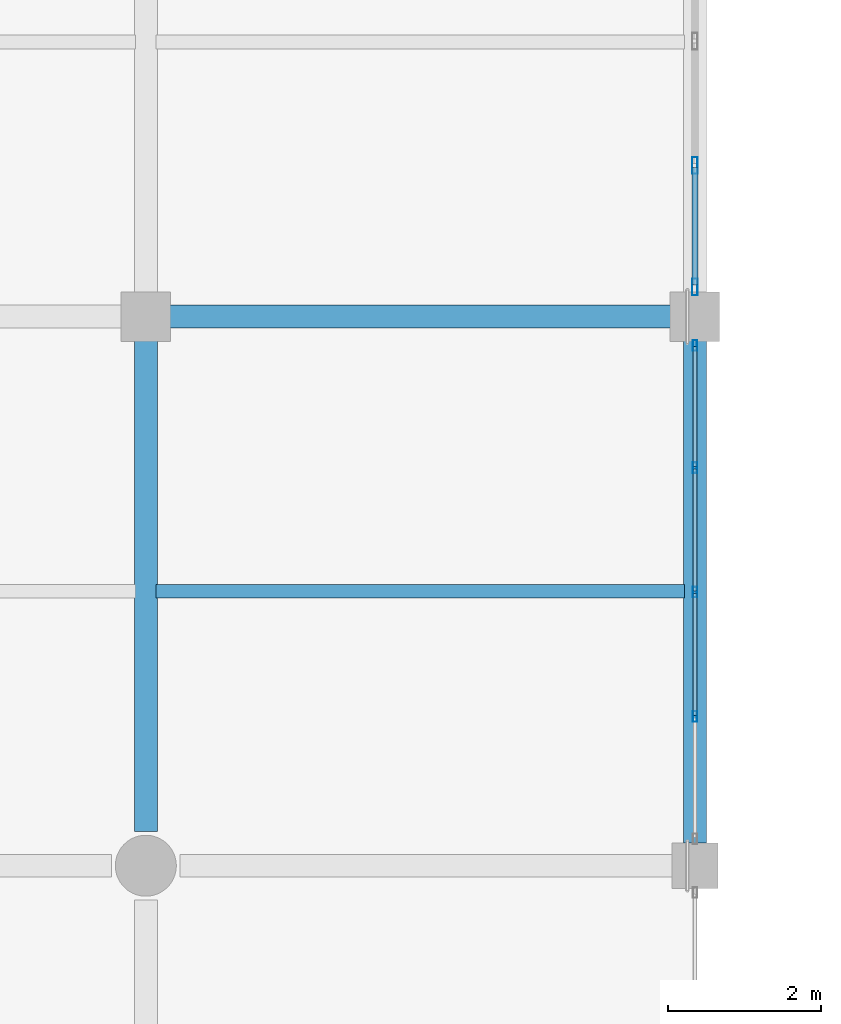
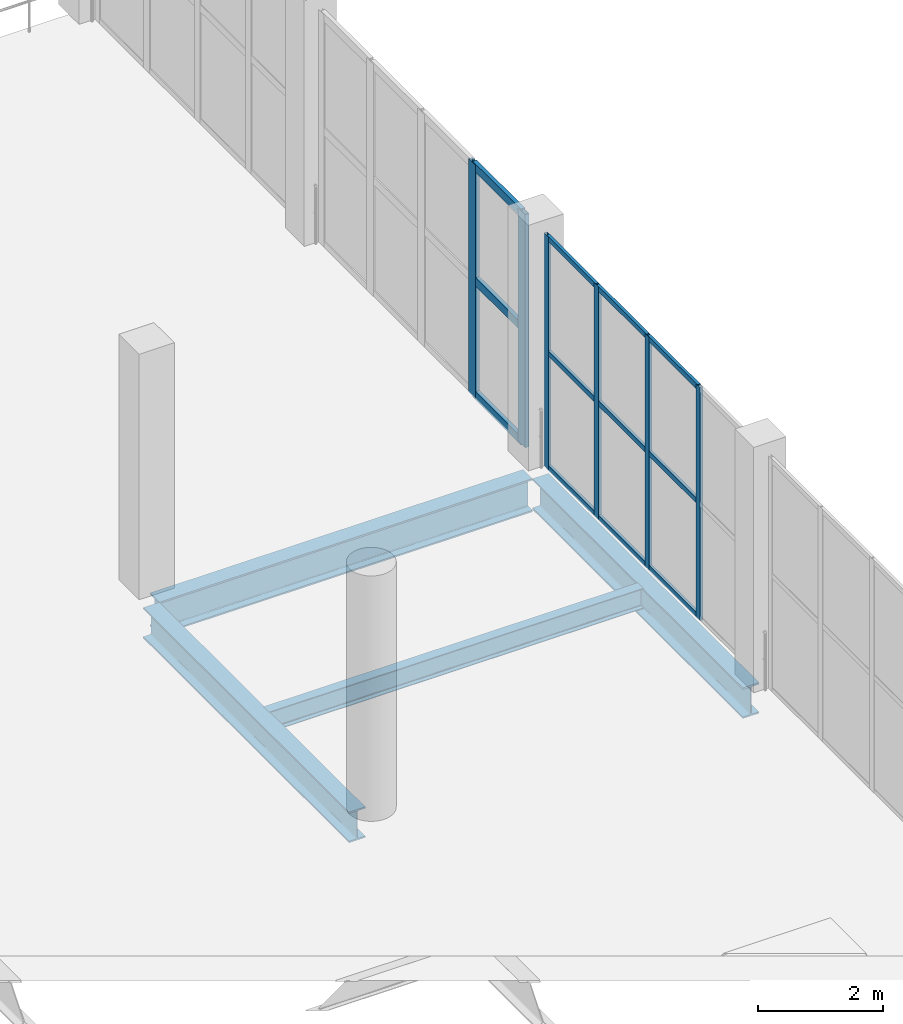
# One storey, part 51 of 105: 18 members, 4 beams, 2 elements without a shape of their own.
"""IFC4 building model written with IfcOpenShell, lengths in metres."""

from ifc_helpers import new_model, si_unit, direction, frame, origin, origin_2d, place, context, subcontext, project, spatial, hollow_rectangle, i_section, extrude, material, material_profile, profile_set, type_object, element, aggregate, save


model = new_model("IFC4")

# Units and contexts
model_context = context("Model", 3, precision=1e-05, world=origin(), true_north=direction((0.0, 1.0)))
body_context = subcontext(model_context, "Body", "Model", "MODEL_VIEW")
ifc_project = project(units=[si_unit("LENGTHUNIT", "METRE"), si_unit("AREAUNIT", "SQUARE_METRE"), si_unit("VOLUMEUNIT", "CUBIC_METRE"), si_unit("PLANEANGLEUNIT", "RADIAN"), si_unit("MASSUNIT", "GRAM", prefix="KILO")], contexts=[model_context])

# Site, building, storey
site_placement = place(None, origin())
site = spatial("IfcSite", under=ifc_project, at=site_placement, CompositionType="ELEMENT")
building_placement = place(site_placement, origin())
building = spatial("IfcBuilding", under=site, at=building_placement, Name="Qandorah Velis Arena", CompositionType="ELEMENT")
storey_placement = place(building_placement, frame((0.0, 0.0, 13.800048828125)))
storey = spatial("IfcBuildingStorey", under=building, at=storey_placement, Name="L03", CompositionType="ELEMENT", Elevation=13.800048828125)

# Curtain wall, members
ifc_material_1 = material(Name="Solar-control low-E double glazing", Category="glass")
curtain_wall_type_1 = type_object("IfcCurtainWallType", Name="ARC-CW-SYS08", PredefinedType="USERDEFINED", material=ifc_material_1)
curtain_wall_1_placement = place(storey_placement, origin())
curtain_wall_1 = element("IfcCurtainWall", 1, at=curtain_wall_1_placement, inside=storey, type_object=curtain_wall_type_1, Name="Unitised curtain wall L03-176", ObjectType="UNITISED CURTAIN WALL", PredefinedType="USERDEFINED")
ifc_material_2 = material(Name="Champagne-bronze anodized aluminium 6063-T6", Category="aluminium")
ifc_material_profile_1 = material_profile(ifc_material_2, hollow_rectangle(XDim=0.054931640625, YDim=0.139892578125, WallThickness=0.0029296875, at=origin_2d()), Name="ALU MULLION 55x140")
ifc_profile_set_1 = profile_set([ifc_material_profile_1], Name="Champagne-bronze anodized aluminium 6063-T6")
member_type_1 = type_object("IfcMemberType", Name="ARC-CWM-140", PredefinedType="MULLION", material=ifc_profile_set_1)
member_1_placement = place(storey_placement, frame((122.39990234375, 88.356201171875, -0.01513671875), z_axis=(0.0, 0.0, 1.0), x_axis=(-1.0, 0.0, 0.0)))
member_1 = element("IfcMember", 2, at=member_1_placement, type_object=member_type_1, Name="CW08 mullion 2", PredefinedType="MULLION", context=body_context, shape_type="SweptSolid", body=[
    extrude(hollow_rectangle(XDim=0.054931640625, YDim=0.139892578125, WallThickness=0.0029296875, at=origin_2d()), origin(), (0.0, 0.0, 1.0), 4.56005859375),
])
member_2_placement = place(storey_placement, frame((122.39990234375, 89.987548828125, -0.01513671875), z_axis=(0.0, 0.0, 1.0), x_axis=(-1.0, 0.0, 0.0)))
member_2 = element("IfcMember", 3, at=member_2_placement, type_object=member_type_1, Name="CW08 mullion 3", PredefinedType="MULLION", context=body_context, shape_type="SweptSolid", body=[
    extrude(hollow_rectangle(XDim=0.054931640625, YDim=0.139892578125, WallThickness=0.0029296875, at=origin_2d()), origin(), (0.0, 0.0, 1.0), 4.56005859375),
])
member_3_placement = place(storey_placement, frame((122.39990234375, 91.61865234375, -0.01513671875), z_axis=(0.0, 0.0, 1.0), x_axis=(-1.0, 0.0, 0.0)))
member_3 = element("IfcMember", 4, at=member_3_placement, type_object=member_type_1, Name="CW08 mullion 4", PredefinedType="MULLION", context=body_context, shape_type="SweptSolid", body=[
    extrude(hollow_rectangle(XDim=0.054931640625, YDim=0.139892578125, WallThickness=0.0029296875, at=origin_2d()), origin(), (0.0, 0.0, 1.0), 4.56005859375),
])
member_4_placement = place(storey_placement, frame((122.39990234375, 93.222412109375, -0.01513671875), z_axis=(0.0, 0.0, 1.0), x_axis=(-1.0, 0.0, 0.0)))
member_4 = element("IfcMember", 5, at=member_4_placement, type_object=member_type_1, Name="CW08 mullion 5", PredefinedType="MULLION", context=body_context, shape_type="SweptSolid", body=[
    extrude(hollow_rectangle(XDim=0.054931640625, YDim=0.139892578125, WallThickness=0.0029296875, at=origin_2d()), origin(), (0.0, 0.0, 1.0), 4.56005859375),
])

curtain_wall_type_2 = type_object("IfcCurtainWallType", Name="ARC-CW-SYS09", PredefinedType="USERDEFINED", material=ifc_material_1)
curtain_wall_2_placement = place(storey_placement, origin())
curtain_wall_2 = element("IfcCurtainWall", 6, at=curtain_wall_2_placement, inside=storey, type_object=curtain_wall_type_2, Name="Unitised curtain wall L03-177", ObjectType="UNITISED CURTAIN WALL", PredefinedType="USERDEFINED")
ifc_material_profile_2 = material_profile(ifc_material_2, hollow_rectangle(XDim=0.074951171875, YDim=0.219970703125, WallThickness=0.00390625, at=origin_2d()), Name="ALU MULLION 75x220")
ifc_profile_set_2 = profile_set([ifc_material_profile_2], Name="Champagne-bronze anodized aluminium 6063-T6")
member_type_2 = type_object("IfcMemberType", Name="ARC-CWM-220", PredefinedType="MULLION", material=ifc_profile_set_2)
member_5_placement = place(storey_placement, frame((122.39990234375, 93.987548828125, -0.01513671875), z_axis=(0.0, 0.0, 1.0), x_axis=(-1.0, 0.0, 0.0)))
member_5 = element("IfcMember", 7, at=member_5_placement, type_object=member_type_2, Name="CW09 mullion 1", PredefinedType="MULLION", context=body_context, shape_type="SweptSolid", body=[
    extrude(hollow_rectangle(XDim=0.074951171875, YDim=0.219970703125, WallThickness=0.00390625, at=origin_2d()), origin(), (0.0, 0.0, 1.0), 4.56005859375),
])
member_6_placement = place(storey_placement, frame((122.39990234375, 95.581298828125, -0.01513671875), z_axis=(0.0, 0.0, 1.0), x_axis=(-1.0, 0.0, 0.0)))
member_6 = element("IfcMember", 8, at=member_6_placement, type_object=member_type_2, Name="CW09 mullion 2", PredefinedType="MULLION", context=body_context, shape_type="SweptSolid", body=[
    extrude(hollow_rectangle(XDim=0.074951171875, YDim=0.219970703125, WallThickness=0.00390625, at=origin_2d()), origin(), (0.0, 0.0, 1.0), 4.56005859375),
])

# Member
ifc_material_profile_3 = material_profile(ifc_material_2, hollow_rectangle(XDim=0.054931640625, YDim=0.10009765625, WallThickness=0.0029296875, at=origin_2d()), Name="ALU TRANSOM 55x100")
ifc_profile_set_3 = profile_set([ifc_material_profile_3], Name="Champagne-bronze anodized aluminium 6063-T6")
member_type_3 = type_object("IfcMemberType", Name="ARC-CWT-100", PredefinedType="USERDEFINED", material=ifc_profile_set_3)
member_7_placement = place(storey_placement, frame((122.39990234375, 88.37158203125, 0.02734375), z_axis=(0.0, 1.0, 0.0), x_axis=(-1.0, 0.0, 0.0)))
member_7 = element("IfcMember", 9, at=member_7_placement, type_object=member_type_3, Name="CW08 transom 2.1", ObjectType="TRANSOM", PredefinedType="USERDEFINED", context=body_context, shape_type="SweptSolid", body=[
    extrude(hollow_rectangle(XDim=0.054931640625, YDim=0.10009765625, WallThickness=0.0029296875, at=origin_2d()), origin(), (0.0, 0.0, 1.0), 1.600341796875),
])

member_8_placement = place(storey_placement, frame((122.39990234375, 88.37158203125, 2.264892578125), z_axis=(0.0, 1.0, 0.0), x_axis=(-1.0, 0.0, 0.0)))
member_8 = element("IfcMember", 10, at=member_8_placement, type_object=member_type_3, Name="CW08 transom 2.2", ObjectType="TRANSOM", PredefinedType="USERDEFINED", context=body_context, shape_type="SweptSolid", body=[
    extrude(hollow_rectangle(XDim=0.054931640625, YDim=0.10009765625, WallThickness=0.0029296875, at=origin_2d()), origin(), (0.0, 0.0, 1.0), 1.600341796875),
])

member_9_placement = place(storey_placement, frame((122.39990234375, 88.37158203125, 4.50244140625), z_axis=(0.0, 1.0, 0.0), x_axis=(-1.0, 0.0, 0.0)))
member_9 = element("IfcMember", 11, at=member_9_placement, type_object=member_type_3, Name="CW08 transom 2.3", ObjectType="TRANSOM", PredefinedType="USERDEFINED", context=body_context, shape_type="SweptSolid", body=[
    extrude(hollow_rectangle(XDim=0.054931640625, YDim=0.10009765625, WallThickness=0.0029296875, at=origin_2d()), origin(), (0.0, 0.0, 1.0), 1.600341796875),
])

member_10_placement = place(storey_placement, frame((122.39990234375, 90.0029296875, 0.02734375), z_axis=(0.0, 1.0, 0.0), x_axis=(-1.0, 0.0, 0.0)))
member_10 = element("IfcMember", 12, at=member_10_placement, type_object=member_type_3, Name="CW08 transom 3.1", ObjectType="TRANSOM", PredefinedType="USERDEFINED", context=body_context, shape_type="SweptSolid", body=[
    extrude(hollow_rectangle(XDim=0.054931640625, YDim=0.10009765625, WallThickness=0.0029296875, at=origin_2d()), origin(), (0.0, 0.0, 1.0), 1.600341796875),
])

member_11_placement = place(storey_placement, frame((122.39990234375, 90.0029296875, 2.264892578125), z_axis=(0.0, 1.0, 0.0), x_axis=(-1.0, 0.0, 0.0)))
member_11 = element("IfcMember", 13, at=member_11_placement, type_object=member_type_3, Name="CW08 transom 3.2", ObjectType="TRANSOM", PredefinedType="USERDEFINED", context=body_context, shape_type="SweptSolid", body=[
    extrude(hollow_rectangle(XDim=0.054931640625, YDim=0.10009765625, WallThickness=0.0029296875, at=origin_2d()), origin(), (0.0, 0.0, 1.0), 1.600341796875),
])

member_12_placement = place(storey_placement, frame((122.39990234375, 90.0029296875, 4.50244140625), z_axis=(0.0, 1.0, 0.0), x_axis=(-1.0, 0.0, 0.0)))
member_12 = element("IfcMember", 14, at=member_12_placement, type_object=member_type_3, Name="CW08 transom 3.3", ObjectType="TRANSOM", PredefinedType="USERDEFINED", context=body_context, shape_type="SweptSolid", body=[
    extrude(hollow_rectangle(XDim=0.054931640625, YDim=0.10009765625, WallThickness=0.0029296875, at=origin_2d()), origin(), (0.0, 0.0, 1.0), 1.600341796875),
])

member_13_placement = place(storey_placement, frame((122.39990234375, 91.63427734375, 0.02734375), z_axis=(0.0, 1.0, 0.0), x_axis=(-1.0, 0.0, 0.0)))
member_13 = element("IfcMember", 15, at=member_13_placement, type_object=member_type_3, Name="CW08 transom 4.1", ObjectType="TRANSOM", PredefinedType="USERDEFINED", context=body_context, shape_type="SweptSolid", body=[
    extrude(hollow_rectangle(XDim=0.054931640625, YDim=0.10009765625, WallThickness=0.0029296875, at=origin_2d()), origin(), (0.0, 0.0, 1.0), 1.57275390625),
])

member_14_placement = place(storey_placement, frame((122.39990234375, 91.63427734375, 2.264892578125), z_axis=(0.0, 1.0, 0.0), x_axis=(-1.0, 0.0, 0.0)))
member_14 = element("IfcMember", 16, at=member_14_placement, type_object=member_type_3, Name="CW08 transom 4.2", ObjectType="TRANSOM", PredefinedType="USERDEFINED", context=body_context, shape_type="SweptSolid", body=[
    extrude(hollow_rectangle(XDim=0.054931640625, YDim=0.10009765625, WallThickness=0.0029296875, at=origin_2d()), origin(), (0.0, 0.0, 1.0), 1.57275390625),
])

member_15_placement = place(storey_placement, frame((122.39990234375, 91.63427734375, 4.50244140625), z_axis=(0.0, 1.0, 0.0), x_axis=(-1.0, 0.0, 0.0)))
member_15 = element("IfcMember", 17, at=member_15_placement, type_object=member_type_3, Name="CW08 transom 4.3", ObjectType="TRANSOM", PredefinedType="USERDEFINED", context=body_context, shape_type="SweptSolid", body=[
    extrude(hollow_rectangle(XDim=0.054931640625, YDim=0.10009765625, WallThickness=0.0029296875, at=origin_2d()), origin(), (0.0, 0.0, 1.0), 1.57275390625),
])

aggregate(curtain_wall_1, [member_1, member_2, member_3, member_4, member_7, member_8, member_9, member_10, member_11, member_12, member_13, member_14, member_15])

ifc_material_profile_4 = material_profile(ifc_material_2, hollow_rectangle(XDim=0.074951171875, YDim=0.159912109375, WallThickness=0.00341796875, at=origin_2d()), Name="ALU TRANSOM 75x160")
ifc_profile_set_4 = profile_set([ifc_material_profile_4], Name="Champagne-bronze anodized aluminium 6063-T6")
member_type_4 = type_object("IfcMemberType", Name="ARC-CWT-160", PredefinedType="USERDEFINED", material=ifc_profile_set_4)
member_16_placement = place(storey_placement, frame((122.39990234375, 94.012939453125, 0.037353515625), z_axis=(0.0, 1.0, 0.0), x_axis=(-1.0, 0.0, 0.0)))
member_16 = element("IfcMember", 18, at=member_16_placement, type_object=member_type_4, Name="CW09 transom 1.1", ObjectType="TRANSOM", PredefinedType="USERDEFINED", context=body_context, shape_type="SweptSolid", body=[
    extrude(hollow_rectangle(XDim=0.074951171875, YDim=0.159912109375, WallThickness=0.00341796875, at=origin_2d()), origin(), (0.0, 0.0, 1.0), 1.54296875),
])

member_17_placement = place(storey_placement, frame((122.39990234375, 94.012939453125, 2.264892578125), z_axis=(0.0, 1.0, 0.0), x_axis=(-1.0, 0.0, 0.0)))
member_17 = element("IfcMember", 19, at=member_17_placement, type_object=member_type_4, Name="CW09 transom 1.2", ObjectType="TRANSOM", PredefinedType="USERDEFINED", context=body_context, shape_type="SweptSolid", body=[
    extrude(hollow_rectangle(XDim=0.074951171875, YDim=0.159912109375, WallThickness=0.00341796875, at=origin_2d()), origin(), (0.0, 0.0, 1.0), 1.54296875),
])

member_18_placement = place(storey_placement, frame((122.39990234375, 94.012939453125, 4.492431640625), z_axis=(0.0, 1.0, 0.0), x_axis=(-1.0, 0.0, 0.0)))
member_18 = element("IfcMember", 20, at=member_18_placement, type_object=member_type_4, Name="CW09 transom 1.3", ObjectType="TRANSOM", PredefinedType="USERDEFINED", context=body_context, shape_type="SweptSolid", body=[
    extrude(hollow_rectangle(XDim=0.074951171875, YDim=0.159912109375, WallThickness=0.00341796875, at=origin_2d()), origin(), (0.0, 0.0, 1.0), 1.54296875),
])

aggregate(curtain_wall_2, [member_5, member_6, member_16, member_17, member_18])

# Beams
ifc_material_3 = material(Name="Steel S355", Category="steel")
ifc_material_profile_5 = material_profile(ifc_material_3, i_section(OverallWidth=0.300048828125, OverallDepth=0.60009765625, WebThickness=0.015380859375, FlangeThickness=0.030029296875, FilletRadius=0.027099609375, at=origin_2d()), Name="HEB 600")
ifc_profile_set_5 = profile_set([ifc_material_profile_5], Name="Steel S355")
beam_type_1 = type_object("IfcBeamType", Name="STR-BM-HEB600", PredefinedType="BEAM", material=ifc_profile_set_5)
beam_1_placement = place(storey_placement, frame((115.199951171875, 86.85009765625, -0.6201171875), z_axis=(0.0, 1.0, 0.0), x_axis=(-1.0, 0.0, 0.0)))
element("IfcBeam", 21, at=beam_1_placement, inside=storey, type_object=beam_type_1, Name="Primary floor girder L03 Y-310", PredefinedType="BEAM", context=body_context, shape_type="SweptSolid", body=[
    extrude(i_section(OverallWidth=0.300048828125, OverallDepth=0.60009765625, WebThickness=0.015380859375, FlangeThickness=0.030029296875, FilletRadius=0.027099609375, at=origin_2d()), origin(), (0.0, 0.0, 1.0), 6.599853515625),
])
beam_2_placement = place(storey_placement, frame((122.39990234375, 86.699951171875, -0.6201171875), z_axis=(0.0, 1.0, 0.0), x_axis=(-1.0, 0.0, 0.0)))
element("IfcBeam", 22, at=beam_2_placement, inside=storey, type_object=beam_type_1, Name="Primary floor girder L03 Y-320", PredefinedType="BEAM", context=body_context, shape_type="SweptSolid", body=[
    extrude(i_section(OverallWidth=0.300048828125, OverallDepth=0.60009765625, WebThickness=0.015380859375, FlangeThickness=0.030029296875, FilletRadius=0.027099609375, at=origin_2d()), origin(), (0.0, 0.0, 1.0), 6.75),
])
ifc_material_profile_6 = material_profile(ifc_material_3, i_section(OverallWidth=0.300048828125, OverallDepth=0.64990234375, WebThickness=0.01611328125, FlangeThickness=0.031005859375, FilletRadius=0.027099609375, at=origin_2d()), Name="HEB 650")
ifc_profile_set_6 = profile_set([ifc_material_profile_6], Name="Steel S355")
beam_type_2 = type_object("IfcBeamType", Name="STR-BM-HEB650", PredefinedType="BEAM", material=ifc_profile_set_6)
beam_3_placement = place(storey_placement, frame((115.35009765625, 93.60009765625, -0.64501953125), z_axis=(1.0, 0.0, 0.0), x_axis=(0.0, 1.0, 0.0)))
element("IfcBeam", 23, at=beam_3_placement, inside=storey, type_object=beam_type_2, Name="Primary floor girder L03 X-115", PredefinedType="BEAM", context=body_context, shape_type="SweptSolid", body=[
    extrude(i_section(OverallWidth=0.300048828125, OverallDepth=0.64990234375, WebThickness=0.01611328125, FlangeThickness=0.031005859375, FilletRadius=0.027099609375, at=origin_2d()), origin(), (0.0, 0.0, 1.0), 6.89990234375),
])
ifc_material_profile_7 = material_profile(ifc_material_3, i_section(OverallWidth=0.179931640625, OverallDepth=0.39990234375, WebThickness=0.008544921875, FlangeThickness=0.013427734375, FilletRadius=0.02099609375, at=origin_2d()), Name="IPE 400")
ifc_profile_set_7 = profile_set([ifc_material_profile_7], Name="Steel S355")
beam_type_3 = type_object("IfcBeamType", Name="STR-JST-IPE400", PredefinedType="JOIST", material=ifc_profile_set_7)
beam_4_placement = place(storey_placement, frame((115.3349609375, 90.0, -0.52001953125), z_axis=(1.0, 0.0, 0.0), x_axis=(0.0, 1.0, 0.0)))
element("IfcBeam", 24, at=beam_4_placement, inside=storey, type_object=beam_type_3, Name="Secondary floor joist L03-091", PredefinedType="JOIST", context=body_context, shape_type="SweptSolid", body=[
    extrude(i_section(OverallWidth=0.179931640625, OverallDepth=0.39990234375, WebThickness=0.008544921875, FlangeThickness=0.013427734375, FilletRadius=0.02099609375, at=origin_2d()), origin(), (0.0, 0.0, 1.0), 6.929931640625),
])

save(model, "model.ifc")
